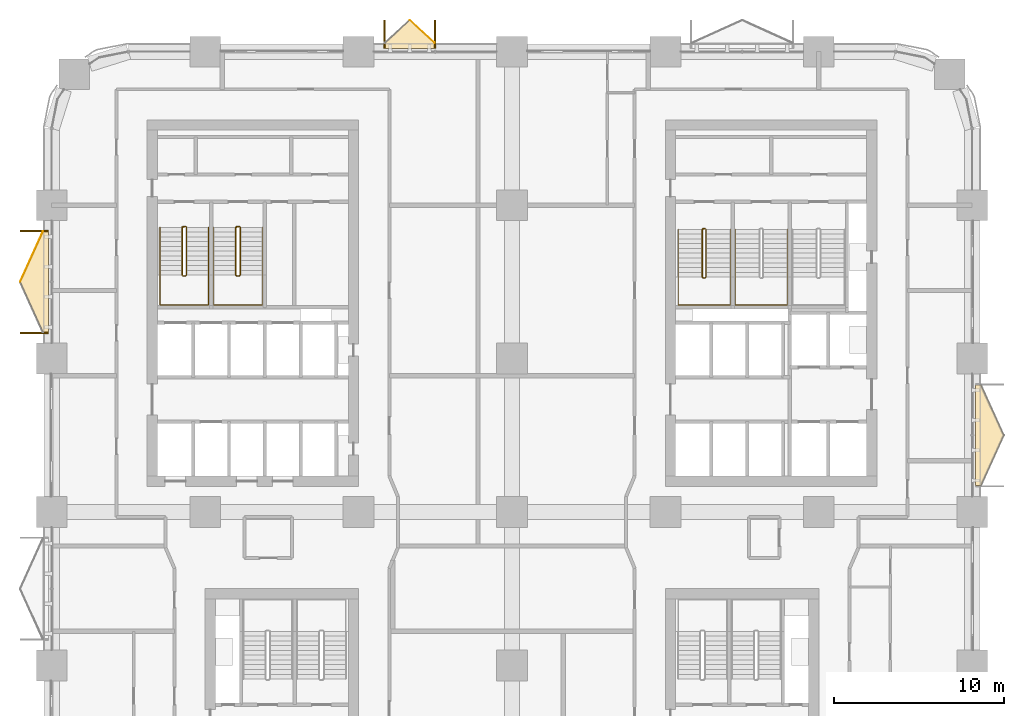
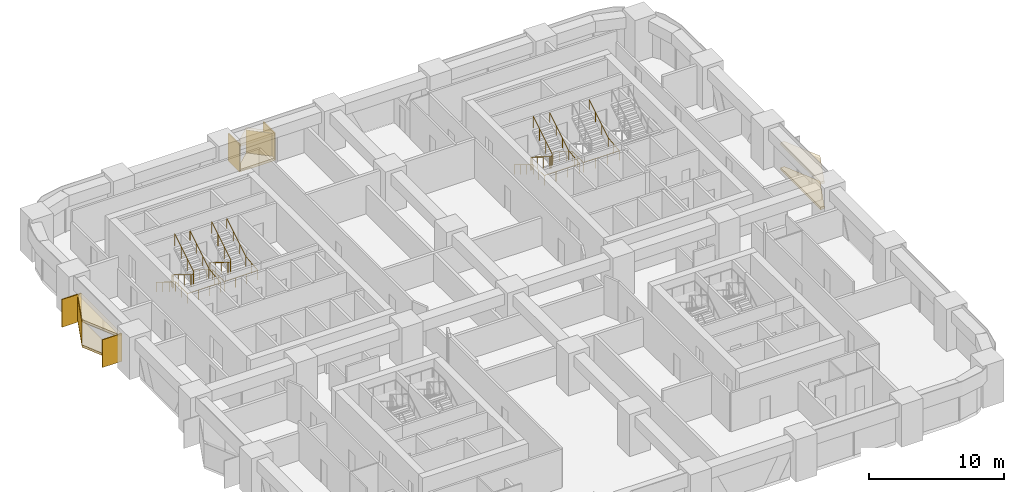
# One storey, part 20 of 21: 12 coverings, 7 railings.
"""IFC4 building model written with IfcOpenShell, lengths in metres."""

from ifc_helpers import new_model, si_unit, direction, frame, origin, origin_2d, place, context, subcontext, project, spatial, polyline, rectangle, circle, outline, extrude, material, layer, layer_set, type_object, element, save


model = new_model("IFC4")

# Units and contexts
model_context = context("Model", 3, precision=1e-05, world=origin(), true_north=direction((0.0, 1.0)))
body_context = subcontext(model_context, "Body", "Model", "MODEL_VIEW")
ifc_project = project(units=[si_unit("LENGTHUNIT", "METRE"), si_unit("AREAUNIT", "SQUARE_METRE"), si_unit("VOLUMEUNIT", "CUBIC_METRE"), si_unit("PLANEANGLEUNIT", "RADIAN"), si_unit("MASSUNIT", "GRAM", prefix="KILO")], contexts=[model_context])

# Site, building, storey
site_placement = place(None, origin())
site = spatial("IfcSite", under=ifc_project, at=site_placement, CompositionType="ELEMENT")
building_placement = place(site_placement, origin())
building = spatial("IfcBuilding", under=site, at=building_placement, Name="Tessera Arch", CompositionType="ELEMENT")
storey_placement = place(building_placement, frame((0.0, 0.0, 42.39990234375)))
storey = spatial("IfcBuildingStorey", under=building, at=storey_placement, Name="L08", CompositionType="ELEMENT", Elevation=42.39990234375)

# Railings
ifc_material_1 = material(Name="Painted steel balustrade", Category="steel")
railing_type_1 = type_object("IfcRailingType", Name="Stair guard 1100", PredefinedType="GUARDRAIL", material=ifc_material_1)
railing_1_placement = place(storey_placement, frame((38.219970703125, 43.6298828125, 0.0)))
element("IfcRailing", 1, at=railing_1_placement, inside=storey, type_object=railing_type_1, Name="L08 S1a stair guard 1", PredefinedType="GUARDRAIL", context=body_context, shape_type="SweptSolid", body=[
    extrude(circle(Radius=0.02392578125, at=origin_2d()), frame((-0.00390625, 0.0, 1.076171875), z_axis=(1.0, 0.0, 0.0), x_axis=(0.0, 1.0, 0.0)), (0.0, 0.0, 1.0), 0.1181640625),
    extrude(circle(Radius=0.02392578125, at=origin_2d()), frame((0.11279296875, 0.000732421875, 1.0732421875), z_axis=(-0.664965661675, -0.206788102106, 0.717676354369), x_axis=(0.296948579431, -0.954893471113, 0.0)), (0.0, 0.0, 1.0), 0.248779296875),
    extrude(circle(Radius=0.02392578125, at=origin_2d()), frame((-0.050048828125, -0.04638671875, 1.246826171875), z_axis=(0.0, -0.851089632645, 0.525020415988), x_axis=(1.0, 0.0, 0.0)), (0.0, 0.0, 1.0), 3.2978515625),
    extrude(circle(Radius=0.02392578125, at=origin_2d()), frame((-0.052978515625, -2.846923828125, 2.97607421875), z_axis=(0.707106781187, -0.707106781187, 0.0), x_axis=(0.707106781187, 0.707106781187, 0.0)), (0.0, 0.0, 1.0), 0.078857421875),
    extrude(circle(Radius=0.02392578125, at=origin_2d()), frame((-0.00390625, -2.89990234375, 2.97607421875), z_axis=(1.0, 0.0, 0.0), x_axis=(0.0, 1.0, 0.0)), (0.0, 0.0, 1.0), 0.1181640625),
    extrude(circle(Radius=0.02392578125, at=origin_2d()), frame((0.109130859375, -2.90087890625, 2.972412109375), z_axis=(0.267062837333, 0.268371968888, 0.925556009775), x_axis=(-0.708833529934, 0.705375805398, 0.0)), (0.0, 0.0, 1.0), 0.194580078125),
    extrude(circle(Radius=0.02392578125, at=origin_2d()), frame((0.159912109375, -2.853271484375, 3.146728515625), z_axis=(0.0, 0.851089632645, 0.525020415988), x_axis=(-1.0, 0.0, 0.0)), (0.0, 0.0, 1.0), 3.2978515625),
    extrude(circle(Radius=0.02099609375, at=origin_2d()), origin(), (0.0, 0.0, 1.0), 1.06396484375),
    extrude(circle(Radius=0.02099609375, at=origin_2d()), frame((0.110107421875, 0.0, 0.0)), (0.0, 0.0, 1.0), 1.06396484375),
    extrude(circle(Radius=0.02099609375, at=origin_2d()), frame((-0.050048828125, -0.0498046875, 0.1728515625)), (0.0, 0.0, 1.0), 1.06396484375),
    extrude(circle(Radius=0.02099609375, at=origin_2d()), frame((-0.050048828125, -0.983154296875, 0.74853515625)), (0.0, 0.0, 1.0), 1.06396484375),
    extrude(circle(Radius=0.02099609375, at=origin_2d()), frame((-0.050048828125, -1.91650390625, 1.324462890625)), (0.0, 0.0, 1.0), 1.06396484375),
    extrude(circle(Radius=0.02099609375, at=origin_2d()), frame((-0.050048828125, -2.849853515625, 1.900146484375)), (0.0, 0.0, 1.0), 1.06396484375),
    extrude(circle(Radius=0.02099609375, at=origin_2d()), frame((0.0, -2.89990234375, 1.900146484375)), (0.0, 0.0, 1.0), 1.06396484375),
    extrude(circle(Radius=0.02099609375, at=origin_2d()), frame((0.110107421875, -2.89990234375, 1.900146484375)), (0.0, 0.0, 1.0), 1.06396484375),
    extrude(circle(Radius=0.02099609375, at=origin_2d()), frame((0.159912109375, -2.849853515625, 2.07275390625)), (0.0, 0.0, 1.0), 1.06396484375),
    extrude(circle(Radius=0.02099609375, at=origin_2d()), frame((0.159912109375, -1.91650390625, 2.6484375)), (0.0, 0.0, 1.0), 1.06396484375),
    extrude(circle(Radius=0.02099609375, at=origin_2d()), frame((0.159912109375, -0.983154296875, 3.224365234375)), (0.0, 0.0, 1.0), 1.06396484375),
    extrude(circle(Radius=0.02099609375, at=origin_2d()), frame((0.159912109375, -0.0498046875, 3.800048828125)), (0.0, 0.0, 1.0), 1.06396484375),
])
railing_2_placement = place(storey_placement, frame((7.699951171875, 43.75, 0.0)))
element("IfcRailing", 2, at=railing_2_placement, inside=storey, type_object=railing_type_1, Name="L08 S2a stair guard 1", PredefinedType="GUARDRAIL", context=body_context, shape_type="SweptSolid", body=[
    extrude(circle(Radius=0.02392578125, at=origin_2d()), frame((-0.00390625, 0.0, 1.076171875), z_axis=(1.0, 0.0, 0.0), x_axis=(0.0, 1.0, 0.0)), (0.0, 0.0, 1.0), 0.158203125),
    extrude(circle(Radius=0.02392578125, at=origin_2d()), frame((0.153076171875, 0.000732421875, 1.073486328125), z_axis=(-0.743708266585, -0.185927066646, 0.642128600905), x_axis=(0.242535625036, -0.970142500145, 0.0)), (0.0, 0.0, 1.0), 0.277099609375),
    extrude(circle(Radius=0.02392578125, at=origin_2d()), frame((-0.050048828125, -0.046630859375, 1.246826171875), z_axis=(0.0, -0.851089632645, 0.525020415988), x_axis=(1.0, 0.0, 0.0)), (0.0, 0.0, 1.0), 3.2978515625),
    extrude(circle(Radius=0.02392578125, at=origin_2d()), frame((-0.052978515625, -2.84716796875, 2.97607421875), z_axis=(0.708833529934, -0.705375805398, 0.0), x_axis=(0.705375805398, 0.708833529934, 0.0)), (0.0, 0.0, 1.0), 0.07861328125),
    extrude(circle(Radius=0.02392578125, at=origin_2d()), frame((-0.00390625, -2.89990234375, 2.97607421875), z_axis=(1.0, 0.0, 0.0), x_axis=(0.0, 1.0, 0.0)), (0.0, 0.0, 1.0), 0.158203125),
    extrude(circle(Radius=0.02392578125, at=origin_2d()), frame((0.149169921875, -2.90087890625, 2.972412109375), z_axis=(0.26715648603, 0.26715648603, 0.925880566782), x_axis=(-0.707106781187, 0.707106781187, 0.0)), (0.0, 0.0, 1.0), 0.1943359375),
    extrude(circle(Radius=0.02392578125, at=origin_2d()), frame((0.199951171875, -2.853515625, 3.146728515625), z_axis=(0.0, 0.851089632645, 0.525020415988), x_axis=(-1.0, 0.0, 0.0)), (0.0, 0.0, 1.0), 3.2978515625),
    extrude(circle(Radius=0.02099609375, at=origin_2d()), origin(), (0.0, 0.0, 1.0), 1.06396484375),
    extrude(circle(Radius=0.02099609375, at=origin_2d()), frame((0.150146484375, 0.0, 0.0)), (0.0, 0.0, 1.0), 1.06396484375),
    extrude(circle(Radius=0.02099609375, at=origin_2d()), frame((-0.050048828125, -0.050048828125, 0.1728515625)), (0.0, 0.0, 1.0), 1.06396484375),
    extrude(circle(Radius=0.02099609375, at=origin_2d()), frame((-0.050048828125, -0.9833984375, 0.74853515625)), (0.0, 0.0, 1.0), 1.06396484375),
    extrude(circle(Radius=0.02099609375, at=origin_2d()), frame((-0.050048828125, -1.916748046875, 1.324462890625)), (0.0, 0.0, 1.0), 1.06396484375),
    extrude(circle(Radius=0.02099609375, at=origin_2d()), frame((-0.050048828125, -2.85009765625, 1.900146484375)), (0.0, 0.0, 1.0), 1.06396484375),
    extrude(circle(Radius=0.02099609375, at=origin_2d()), frame((0.0, -2.89990234375, 1.900146484375)), (0.0, 0.0, 1.0), 1.06396484375),
    extrude(circle(Radius=0.02099609375, at=origin_2d()), frame((0.150146484375, -2.89990234375, 1.900146484375)), (0.0, 0.0, 1.0), 1.06396484375),
    extrude(circle(Radius=0.02099609375, at=origin_2d()), frame((0.199951171875, -2.85009765625, 2.07275390625)), (0.0, 0.0, 1.0), 1.06396484375),
    extrude(circle(Radius=0.02099609375, at=origin_2d()), frame((0.199951171875, -1.916748046875, 2.6484375)), (0.0, 0.0, 1.0), 1.06396484375),
    extrude(circle(Radius=0.02099609375, at=origin_2d()), frame((0.199951171875, -0.9833984375, 3.224365234375)), (0.0, 0.0, 1.0), 1.06396484375),
    extrude(circle(Radius=0.02099609375, at=origin_2d()), frame((0.199951171875, -0.050048828125, 3.800048828125)), (0.0, 0.0, 1.0), 1.06396484375),
])
railing_3_placement = place(storey_placement, frame((10.85009765625, 43.75, 0.0)))
element("IfcRailing", 3, at=railing_3_placement, inside=storey, type_object=railing_type_1, Name="L08 S2b stair guard 1", PredefinedType="GUARDRAIL", context=body_context, shape_type="SweptSolid", body=[
    extrude(circle(Radius=0.02392578125, at=origin_2d()), frame((-0.00390625, 0.0, 1.076171875), z_axis=(1.0, 0.0, 0.0), x_axis=(0.0, 1.0, 0.0)), (0.0, 0.0, 1.0), 0.157958984375),
    extrude(circle(Radius=0.02392578125, at=origin_2d()), frame((0.15283203125, 0.000732421875, 1.073486328125), z_axis=(-0.743302536996, -0.186052527575, 0.642561900114), x_axis=(0.242814311512, -0.970072785993, 0.0)), (0.0, 0.0, 1.0), 0.277099609375),
    extrude(circle(Radius=0.02392578125, at=origin_2d()), frame((-0.050048828125, -0.046630859375, 1.246826171875), z_axis=(0.0, -0.851089632645, 0.525020415988), x_axis=(1.0, 0.0, 0.0)), (0.0, 0.0, 1.0), 3.2978515625),
    extrude(circle(Radius=0.02392578125, at=origin_2d()), frame((-0.052978515625, -2.84716796875, 2.97607421875), z_axis=(0.708833529934, -0.705375805398, 0.0), x_axis=(0.705375805398, 0.708833529934, 0.0)), (0.0, 0.0, 1.0), 0.07861328125),
    extrude(circle(Radius=0.02392578125, at=origin_2d()), frame((-0.00390625, -2.89990234375, 2.97607421875), z_axis=(1.0, 0.0, 0.0), x_axis=(0.0, 1.0, 0.0)), (0.0, 0.0, 1.0), 0.157958984375),
    extrude(circle(Radius=0.02392578125, at=origin_2d()), frame((0.14892578125, -2.90087890625, 2.972412109375), z_axis=(0.268371968888, 0.267062837333, 0.925556009775), x_axis=(-0.705375805398, 0.708833529934, 0.0)), (0.0, 0.0, 1.0), 0.194580078125),
    extrude(circle(Radius=0.02392578125, at=origin_2d()), frame((0.199951171875, -2.853515625, 3.146728515625), z_axis=(0.0, 0.851089632645, 0.525020415988), x_axis=(-1.0, 0.0, 0.0)), (0.0, 0.0, 1.0), 3.2978515625),
    extrude(circle(Radius=0.02099609375, at=origin_2d()), origin(), (0.0, 0.0, 1.0), 1.06396484375),
    extrude(circle(Radius=0.02099609375, at=origin_2d()), frame((0.14990234375, 0.0, 0.0)), (0.0, 0.0, 1.0), 1.06396484375),
    extrude(circle(Radius=0.02099609375, at=origin_2d()), frame((-0.050048828125, -0.050048828125, 0.1728515625)), (0.0, 0.0, 1.0), 1.06396484375),
    extrude(circle(Radius=0.02099609375, at=origin_2d()), frame((-0.050048828125, -0.9833984375, 0.74853515625)), (0.0, 0.0, 1.0), 1.06396484375),
    extrude(circle(Radius=0.02099609375, at=origin_2d()), frame((-0.050048828125, -1.916748046875, 1.324462890625)), (0.0, 0.0, 1.0), 1.06396484375),
    extrude(circle(Radius=0.02099609375, at=origin_2d()), frame((-0.050048828125, -2.85009765625, 1.900146484375)), (0.0, 0.0, 1.0), 1.06396484375),
    extrude(circle(Radius=0.02099609375, at=origin_2d()), frame((0.0, -2.89990234375, 1.900146484375)), (0.0, 0.0, 1.0), 1.06396484375),
    extrude(circle(Radius=0.02099609375, at=origin_2d()), frame((0.14990234375, -2.89990234375, 1.900146484375)), (0.0, 0.0, 1.0), 1.06396484375),
    extrude(circle(Radius=0.02099609375, at=origin_2d()), frame((0.199951171875, -2.85009765625, 2.07275390625)), (0.0, 0.0, 1.0), 1.06396484375),
    extrude(circle(Radius=0.02099609375, at=origin_2d()), frame((0.199951171875, -1.916748046875, 2.6484375)), (0.0, 0.0, 1.0), 1.06396484375),
    extrude(circle(Radius=0.02099609375, at=origin_2d()), frame((0.199951171875, -0.9833984375, 3.224365234375)), (0.0, 0.0, 1.0), 1.06396484375),
    extrude(circle(Radius=0.02099609375, at=origin_2d()), frame((0.199951171875, -0.050048828125, 3.800048828125)), (0.0, 0.0, 1.0), 1.06396484375),
])
ifc_material_2 = material(Name="Painted steel handrail", Category="steel")
railing_type_2 = type_object("IfcRailingType", Name="Stair handrail 900", PredefinedType="HANDRAIL", material=ifc_material_2)
railing_4_placement = place(storey_placement, frame((36.75, 43.580078125, 0.1728515625)))
element("IfcRailing", 4, at=railing_4_placement, inside=storey, type_object=railing_type_2, Name="L08 S1a stair handrail", PredefinedType="HANDRAIL", context=body_context, shape_type="SweptSolid", body=[
    extrude(circle(Radius=0.02392578125, at=origin_2d()), frame((0.0, 0.00341796875, 0.873779296875), z_axis=(0.0, -0.851089632645, 0.525020415988), x_axis=(1.0, 0.0, 0.0)), (0.0, 0.0, 1.0), 3.2978515625),
    extrude(circle(Radius=0.02392578125, at=origin_2d()), frame((0.0, -2.796142578125, 2.60302734375), z_axis=(0.0, -1.0, 0.0), x_axis=(1.0, 0.0, 0.0)), (0.0, 0.0, 1.0), 1.63818359375),
    extrude(circle(Radius=0.02392578125, at=origin_2d()), frame((-0.00390625, -4.43017578125, 2.60302734375), z_axis=(1.0, 0.0, 0.0), x_axis=(0.0, 1.0, 0.0)), (0.0, 0.0, 1.0), 3.05810546875),
    extrude(circle(Radius=0.02392578125, at=origin_2d()), frame((3.050048828125, -4.43408203125, 2.602783203125), z_axis=(0.0, 0.994440793715, 0.105297235459), x_axis=(-1.0, 0.0, 0.0)), (0.0, 0.0, 1.0), 1.647216796875),
    extrude(circle(Radius=0.02392578125, at=origin_2d()), frame((3.050048828125, -2.803466796875, 2.773681640625), z_axis=(0.0, 0.851089632645, 0.525020415988), x_axis=(-1.0, 0.0, 0.0)), (0.0, 0.0, 1.0), 3.2978515625),
    extrude(circle(Radius=0.02099609375, at=origin_2d()), origin(), (0.0, 0.0, 1.0), 0.86376953125),
    extrude(circle(Radius=0.02099609375, at=origin_2d()), frame((0.0, -0.933349609375, 0.57568359375)), (0.0, 0.0, 1.0), 0.86376953125),
    extrude(circle(Radius=0.02099609375, at=origin_2d()), frame((0.0, -1.86669921875, 1.151611328125)), (0.0, 0.0, 1.0), 0.86376953125),
    extrude(circle(Radius=0.02099609375, at=origin_2d()), frame((0.0, -2.800048828125, 1.727294921875)), (0.0, 0.0, 1.0), 0.86376953125),
    extrude(circle(Radius=0.02099609375, at=origin_2d()), frame((0.0, -3.615234375, 1.727294921875)), (0.0, 0.0, 1.0), 0.86376953125),
    extrude(circle(Radius=0.02099609375, at=origin_2d()), frame((0.0, -4.43017578125, 1.727294921875)), (0.0, 0.0, 1.0), 0.86376953125),
    extrude(circle(Radius=0.02099609375, at=origin_2d()), frame((1.0166015625, -4.43017578125, 1.727294921875)), (0.0, 0.0, 1.0), 0.86376953125),
    extrude(circle(Radius=0.02099609375, at=origin_2d()), frame((2.033447265625, -4.43017578125, 1.727294921875)), (0.0, 0.0, 1.0), 0.86376953125),
    extrude(circle(Radius=0.02099609375, at=origin_2d()), frame((3.050048828125, -4.43017578125, 1.727294921875)), (0.0, 0.0, 1.0), 0.86376953125),
    extrude(circle(Radius=0.02099609375, at=origin_2d()), frame((3.050048828125, -3.615234375, 1.8134765625)), (0.0, 0.0, 1.0), 0.86376953125),
    extrude(circle(Radius=0.02099609375, at=origin_2d()), frame((3.050048828125, -2.800048828125, 1.89990234375)), (0.0, 0.0, 1.0), 0.86376953125),
    extrude(circle(Radius=0.02099609375, at=origin_2d()), frame((3.050048828125, -1.86669921875, 2.4755859375)), (0.0, 0.0, 1.0), 0.86376953125),
    extrude(circle(Radius=0.02099609375, at=origin_2d()), frame((3.050048828125, -0.933349609375, 3.051513671875)), (0.0, 0.0, 1.0), 0.86376953125),
    extrude(circle(Radius=0.02099609375, at=origin_2d()), frame((3.050048828125, 0.0, 3.627197265625)), (0.0, 0.0, 1.0), 0.86376953125),
])
railing_5_placement = place(storey_placement, frame((40.10009765625, 43.580078125, 0.1728515625)))
element("IfcRailing", 5, at=railing_5_placement, inside=storey, type_object=railing_type_2, Name="L08 S1b stair handrail", PredefinedType="HANDRAIL", context=body_context, shape_type="SweptSolid", body=[
    extrude(circle(Radius=0.02392578125, at=origin_2d()), frame((0.0, 0.00341796875, 0.873779296875), z_axis=(0.0, -0.851089632645, 0.525020415988), x_axis=(1.0, 0.0, 0.0)), (0.0, 0.0, 1.0), 3.2978515625),
    extrude(circle(Radius=0.02392578125, at=origin_2d()), frame((0.0, -2.796142578125, 2.60302734375), z_axis=(0.0, -1.0, 0.0), x_axis=(1.0, 0.0, 0.0)), (0.0, 0.0, 1.0), 1.63818359375),
    extrude(circle(Radius=0.02392578125, at=origin_2d()), frame((-0.00390625, -4.43017578125, 2.60302734375), z_axis=(1.0, 0.0, 0.0), x_axis=(0.0, 1.0, 0.0)), (0.0, 0.0, 1.0), 3.057861328125),
    extrude(circle(Radius=0.02392578125, at=origin_2d()), frame((3.0498046875, -4.43408203125, 2.602783203125), z_axis=(0.0, 0.994440793715, 0.105297235459), x_axis=(-1.0, 0.0, 0.0)), (0.0, 0.0, 1.0), 1.647216796875),
    extrude(circle(Radius=0.02392578125, at=origin_2d()), frame((3.0498046875, -2.803466796875, 2.773681640625), z_axis=(0.0, 0.851089632645, 0.525020415988), x_axis=(-1.0, 0.0, 0.0)), (0.0, 0.0, 1.0), 3.2978515625),
    extrude(circle(Radius=0.02099609375, at=origin_2d()), origin(), (0.0, 0.0, 1.0), 0.86376953125),
    extrude(circle(Radius=0.02099609375, at=origin_2d()), frame((0.0, -0.933349609375, 0.57568359375)), (0.0, 0.0, 1.0), 0.86376953125),
    extrude(circle(Radius=0.02099609375, at=origin_2d()), frame((0.0, -1.86669921875, 1.151611328125)), (0.0, 0.0, 1.0), 0.86376953125),
    extrude(circle(Radius=0.02099609375, at=origin_2d()), frame((0.0, -2.800048828125, 1.727294921875)), (0.0, 0.0, 1.0), 0.86376953125),
    extrude(circle(Radius=0.02099609375, at=origin_2d()), frame((0.0, -3.615234375, 1.727294921875)), (0.0, 0.0, 1.0), 0.86376953125),
    extrude(circle(Radius=0.02099609375, at=origin_2d()), frame((0.0, -4.43017578125, 1.727294921875)), (0.0, 0.0, 1.0), 0.86376953125),
    extrude(circle(Radius=0.02099609375, at=origin_2d()), frame((1.0166015625, -4.43017578125, 1.727294921875)), (0.0, 0.0, 1.0), 0.86376953125),
    extrude(circle(Radius=0.02099609375, at=origin_2d()), frame((2.033203125, -4.43017578125, 1.727294921875)), (0.0, 0.0, 1.0), 0.86376953125),
    extrude(circle(Radius=0.02099609375, at=origin_2d()), frame((3.0498046875, -4.43017578125, 1.727294921875)), (0.0, 0.0, 1.0), 0.86376953125),
    extrude(circle(Radius=0.02099609375, at=origin_2d()), frame((3.0498046875, -3.615234375, 1.8134765625)), (0.0, 0.0, 1.0), 0.86376953125),
    extrude(circle(Radius=0.02099609375, at=origin_2d()), frame((3.0498046875, -2.800048828125, 1.89990234375)), (0.0, 0.0, 1.0), 0.86376953125),
    extrude(circle(Radius=0.02099609375, at=origin_2d()), frame((3.0498046875, -1.86669921875, 2.4755859375)), (0.0, 0.0, 1.0), 0.86376953125),
    extrude(circle(Radius=0.02099609375, at=origin_2d()), frame((3.0498046875, -0.933349609375, 3.051513671875)), (0.0, 0.0, 1.0), 0.86376953125),
    extrude(circle(Radius=0.02099609375, at=origin_2d()), frame((3.0498046875, 0.0, 3.627197265625)), (0.0, 0.0, 1.0), 0.86376953125),
])
railing_6_placement = place(storey_placement, frame((6.35009765625, 43.699951171875, 0.1728515625)))
element("IfcRailing", 6, at=railing_6_placement, inside=storey, type_object=railing_type_2, Name="L08 S2a stair handrail", PredefinedType="HANDRAIL", context=body_context, shape_type="SweptSolid", body=[
    extrude(circle(Radius=0.02392578125, at=origin_2d()), frame((0.0, 0.00341796875, 0.873779296875), z_axis=(0.0, -0.851089632645, 0.525020415988), x_axis=(1.0, 0.0, 0.0)), (0.0, 0.0, 1.0), 3.2978515625),
    extrude(circle(Radius=0.02392578125, at=origin_2d()), frame((0.0, -2.796142578125, 2.60302734375), z_axis=(0.0, -1.0, 0.0), x_axis=(1.0, 0.0, 0.0)), (0.0, 0.0, 1.0), 1.758056640625),
    extrude(circle(Radius=0.02392578125, at=origin_2d()), frame((-0.00390625, -4.550048828125, 2.60302734375), z_axis=(1.0, 0.0, 0.0), x_axis=(0.0, 1.0, 0.0)), (0.0, 0.0, 1.0), 2.85791015625),
    extrude(circle(Radius=0.02392578125, at=origin_2d()), frame((2.849853515625, -4.553955078125, 2.602783203125), z_axis=(0.0, 0.995170989745, 0.098156513637), x_axis=(-1.0, 0.0, 0.0)), (0.0, 0.0, 1.0), 1.7666015625),
    extrude(circle(Radius=0.02392578125, at=origin_2d()), frame((2.849853515625, -2.803466796875, 2.773681640625), z_axis=(0.0, 0.851089632645, 0.525020415988), x_axis=(-1.0, 0.0, 0.0)), (0.0, 0.0, 1.0), 3.2978515625),
    extrude(circle(Radius=0.02099609375, at=origin_2d()), origin(), (0.0, 0.0, 1.0), 0.86376953125),
    extrude(circle(Radius=0.02099609375, at=origin_2d()), frame((0.0, -0.933349609375, 0.57568359375)), (0.0, 0.0, 1.0), 0.86376953125),
    extrude(circle(Radius=0.02099609375, at=origin_2d()), frame((0.0, -1.86669921875, 1.151611328125)), (0.0, 0.0, 1.0), 0.86376953125),
    extrude(circle(Radius=0.02099609375, at=origin_2d()), frame((0.0, -2.800048828125, 1.727294921875)), (0.0, 0.0, 1.0), 0.86376953125),
    extrude(circle(Radius=0.02099609375, at=origin_2d()), frame((0.0, -3.675048828125, 1.727294921875)), (0.0, 0.0, 1.0), 0.86376953125),
    extrude(circle(Radius=0.02099609375, at=origin_2d()), frame((0.0, -4.550048828125, 1.727294921875)), (0.0, 0.0, 1.0), 0.86376953125),
    extrude(circle(Radius=0.02099609375, at=origin_2d()), frame((0.949951171875, -4.550048828125, 1.727294921875)), (0.0, 0.0, 1.0), 0.86376953125),
    extrude(circle(Radius=0.02099609375, at=origin_2d()), frame((1.89990234375, -4.550048828125, 1.727294921875)), (0.0, 0.0, 1.0), 0.86376953125),
    extrude(circle(Radius=0.02099609375, at=origin_2d()), frame((2.849853515625, -4.550048828125, 1.727294921875)), (0.0, 0.0, 1.0), 0.86376953125),
    extrude(circle(Radius=0.02099609375, at=origin_2d()), frame((2.849853515625, -3.675048828125, 1.8134765625)), (0.0, 0.0, 1.0), 0.86376953125),
    extrude(circle(Radius=0.02099609375, at=origin_2d()), frame((2.849853515625, -2.800048828125, 1.89990234375)), (0.0, 0.0, 1.0), 0.86376953125),
    extrude(circle(Radius=0.02099609375, at=origin_2d()), frame((2.849853515625, -1.86669921875, 2.4755859375)), (0.0, 0.0, 1.0), 0.86376953125),
    extrude(circle(Radius=0.02099609375, at=origin_2d()), frame((2.849853515625, -0.933349609375, 3.051513671875)), (0.0, 0.0, 1.0), 0.86376953125),
    extrude(circle(Radius=0.02099609375, at=origin_2d()), frame((2.849853515625, 0.0, 3.627197265625)), (0.0, 0.0, 1.0), 0.86376953125),
])
railing_7_placement = place(storey_placement, frame((9.5, 43.699951171875, 0.1728515625)))
element("IfcRailing", 7, at=railing_7_placement, inside=storey, type_object=railing_type_2, Name="L08 S2b stair handrail", PredefinedType="HANDRAIL", context=body_context, shape_type="SweptSolid", body=[
    extrude(circle(Radius=0.02392578125, at=origin_2d()), frame((0.0, 0.00341796875, 0.873779296875), z_axis=(0.0, -0.851089632645, 0.525020415988), x_axis=(1.0, 0.0, 0.0)), (0.0, 0.0, 1.0), 3.2978515625),
    extrude(circle(Radius=0.02392578125, at=origin_2d()), frame((0.0, -2.796142578125, 2.60302734375), z_axis=(0.0, -1.0, 0.0), x_axis=(1.0, 0.0, 0.0)), (0.0, 0.0, 1.0), 1.758056640625),
    extrude(circle(Radius=0.02392578125, at=origin_2d()), frame((-0.00390625, -4.550048828125, 2.60302734375), z_axis=(1.0, 0.0, 0.0), x_axis=(0.0, 1.0, 0.0)), (0.0, 0.0, 1.0), 2.858154296875),
    extrude(circle(Radius=0.02392578125, at=origin_2d()), frame((2.85009765625, -4.553955078125, 2.602783203125), z_axis=(0.0, 0.995170989745, 0.098156513637), x_axis=(-1.0, 0.0, 0.0)), (0.0, 0.0, 1.0), 1.7666015625),
    extrude(circle(Radius=0.02392578125, at=origin_2d()), frame((2.85009765625, -2.803466796875, 2.773681640625), z_axis=(0.0, 0.851089632645, 0.525020415988), x_axis=(-1.0, 0.0, 0.0)), (0.0, 0.0, 1.0), 3.2978515625),
    extrude(circle(Radius=0.02099609375, at=origin_2d()), origin(), (0.0, 0.0, 1.0), 0.86376953125),
    extrude(circle(Radius=0.02099609375, at=origin_2d()), frame((0.0, -0.933349609375, 0.57568359375)), (0.0, 0.0, 1.0), 0.86376953125),
    extrude(circle(Radius=0.02099609375, at=origin_2d()), frame((0.0, -1.86669921875, 1.151611328125)), (0.0, 0.0, 1.0), 0.86376953125),
    extrude(circle(Radius=0.02099609375, at=origin_2d()), frame((0.0, -2.800048828125, 1.727294921875)), (0.0, 0.0, 1.0), 0.86376953125),
    extrude(circle(Radius=0.02099609375, at=origin_2d()), frame((0.0, -3.675048828125, 1.727294921875)), (0.0, 0.0, 1.0), 0.86376953125),
    extrude(circle(Radius=0.02099609375, at=origin_2d()), frame((0.0, -4.550048828125, 1.727294921875)), (0.0, 0.0, 1.0), 0.86376953125),
    extrude(circle(Radius=0.02099609375, at=origin_2d()), frame((0.949951171875, -4.550048828125, 1.727294921875)), (0.0, 0.0, 1.0), 0.86376953125),
    extrude(circle(Radius=0.02099609375, at=origin_2d()), frame((1.900146484375, -4.550048828125, 1.727294921875)), (0.0, 0.0, 1.0), 0.86376953125),
    extrude(circle(Radius=0.02099609375, at=origin_2d()), frame((2.85009765625, -4.550048828125, 1.727294921875)), (0.0, 0.0, 1.0), 0.86376953125),
    extrude(circle(Radius=0.02099609375, at=origin_2d()), frame((2.85009765625, -3.675048828125, 1.8134765625)), (0.0, 0.0, 1.0), 0.86376953125),
    extrude(circle(Radius=0.02099609375, at=origin_2d()), frame((2.85009765625, -2.800048828125, 1.89990234375)), (0.0, 0.0, 1.0), 0.86376953125),
    extrude(circle(Radius=0.02099609375, at=origin_2d()), frame((2.85009765625, -1.86669921875, 2.4755859375)), (0.0, 0.0, 1.0), 0.86376953125),
    extrude(circle(Radius=0.02099609375, at=origin_2d()), frame((2.85009765625, -0.933349609375, 3.051513671875)), (0.0, 0.0, 1.0), 0.86376953125),
    extrude(circle(Radius=0.02099609375, at=origin_2d()), frame((2.85009765625, 0.0, 3.627197265625)), (0.0, 0.0, 1.0), 0.86376953125),
])

# Coverings
ifc_material_3 = material(Name="Anodised aluminium pale metal", Category="aluminium")
ifc_layer_1 = layer(ifc_material_3, 0.080078125)
ifc_layer_set_1 = layer_set([ifc_layer_1], Name="Window box cheek")
covering_type_1 = type_object("IfcCoveringType", Name="Window box cheek", PredefinedType="CLADDING", material=ifc_layer_set_1)
covering_1_placement = place(storey_placement, origin())
element("IfcCovering", 8, at=covering_1_placement, inside=storey, type_object=covering_type_1, Name="Window box N54.0/3.1 1x1 cheek", PredefinedType="CLADDING", context=body_context, shape_type="SweptSolid", body=[
    extrude(outline(polyline([(22.530029296875, 55.85009765625), (22.449951171875, 55.85009765625), (22.449951171875, 54.199951171875), (22.530029296875, 54.199951171875), (22.530029296875, 55.85009765625)])), origin(), (0.0, 0.0, 1.0), 2.5),
])
covering_2_placement = place(storey_placement, origin())
element("IfcCovering", 9, at=covering_2_placement, inside=storey, type_object=covering_type_1, Name="Window box N54.0/3.1 1x1 cheek", PredefinedType="CLADDING", context=body_context, shape_type="SweptSolid", body=[
    extrude(outline(polyline([(19.550048828125, 55.85009765625), (19.469970703125, 55.85009765625), (19.469970703125, 54.199951171875), (19.550048828125, 54.199951171875), (19.550048828125, 55.85009765625)])), origin(), (0.0, 0.0, 1.0), 2.5),
])
covering_3_placement = place(storey_placement, origin())
element("IfcCovering", 10, at=covering_3_placement, inside=storey, type_object=covering_type_1, Name="Window box W0.0/1.0 2x1 cheek", PredefinedType="CLADDING", context=body_context, shape_type="SweptSolid", body=[
    extrude(outline(polyline([(-1.85009765625, 43.530029296875), (-1.85009765625, 43.449951171875), (-0.199951171875, 43.449951171875), (-0.199951171875, 43.530029296875), (-1.85009765625, 43.530029296875)])), origin(), (0.0, 0.0, 1.0), 2.5),
])
covering_4_placement = place(storey_placement, origin())
element("IfcCovering", 11, at=covering_4_placement, inside=storey, type_object=covering_type_1, Name="Window box W0.0/1.0 2x1 cheek", PredefinedType="CLADDING", context=body_context, shape_type="SweptSolid", body=[
    extrude(outline(polyline([(-1.85009765625, 37.550048828125), (-1.85009765625, 37.469970703125), (-0.199951171875, 37.469970703125), (-0.199951171875, 37.550048828125), (-1.85009765625, 37.550048828125)])), origin(), (0.0, 0.0, 1.0), 2.5),
])
ifc_material_4 = material(Name="Anodised aluminium cobalt blue", Category="aluminium")
ifc_layer_2 = layer(ifc_material_4, 0.219970703125)
ifc_layer_set_2 = layer_set([ifc_layer_2], Name="Window box frame plate cobalt")
covering_type_2 = type_object("IfcCoveringType", Name="Window box frame plate cobalt", PredefinedType="CLADDING", material=ifc_layer_set_2)
covering_5_placement = place(storey_placement, origin())
element("IfcCovering", 12, at=covering_5_placement, inside=storey, type_object=covering_type_2, Name="Window box N54.0/3.1 1x1 floor", PredefinedType="CLADDING", context=body_context, shape_type="SweptSolid", body=[
    extrude(outline(polyline([(22.449951171875, 54.510009765625), (21.0, 55.85009765625), (19.550048828125, 54.510009765625), (19.550048828125, 54.199951171875), (22.449951171875, 54.199951171875), (22.449951171875, 54.510009765625)])), origin(), (0.0, 0.0, 1.0), 0.22021484375),
])
covering_6_placement = place(storey_placement, frame((0.0, 0.0, 2.280029296875)))
element("IfcCovering", 13, at=covering_6_placement, inside=storey, type_object=covering_type_2, Name="Window box N54.0/3.1 1x1 roof", PredefinedType="CLADDING", context=body_context, shape_type="SweptSolid", body=[
    extrude(outline(polyline([(22.449951171875, 54.510009765625), (21.0, 55.85009765625), (19.550048828125, 54.510009765625), (19.550048828125, 54.199951171875), (22.449951171875, 54.199951171875), (22.449951171875, 54.510009765625)])), origin(), (0.0, 0.0, 1.0), 0.219970703125),
])
ifc_material_5 = material(Name="Anodised aluminium pale metal", Category="aluminium")
ifc_layer_3 = layer(ifc_material_5, 0.219970703125)
ifc_layer_set_3 = layer_set([ifc_layer_3], Name="Window box frame plate pale metal")
covering_type_3 = type_object("IfcCoveringType", Name="Window box frame plate pale metal", PredefinedType="CLADDING", material=ifc_layer_set_3)
covering_7_placement = place(storey_placement, origin())
element("IfcCovering", 14, at=covering_7_placement, inside=storey, type_object=covering_type_3, Name="Window box W0.0/1.0 2x1 floor", PredefinedType="CLADDING", context=body_context, shape_type="SweptSolid", body=[
    extrude(outline(polyline([(-0.510009765625, 43.449951171875), (-1.85009765625, 40.5), (-0.510009765625, 37.550048828125), (-0.199951171875, 37.550048828125), (-0.199951171875, 43.449951171875), (-0.510009765625, 43.449951171875)])), origin(), (0.0, 0.0, 1.0), 0.22021484375),
])
covering_8_placement = place(storey_placement, frame((0.0, 0.0, 2.280029296875)))
element("IfcCovering", 15, at=covering_8_placement, inside=storey, type_object=covering_type_3, Name="Window box W0.0/1.0 2x1 roof", PredefinedType="CLADDING", context=body_context, shape_type="SweptSolid", body=[
    extrude(outline(polyline([(-0.510009765625, 43.449951171875), (-1.85009765625, 40.5), (-0.510009765625, 37.550048828125), (-0.199951171875, 37.550048828125), (-0.199951171875, 43.449951171875), (-0.510009765625, 43.449951171875)])), origin(), (0.0, 0.0, 1.0), 0.219970703125),
])
covering_9_placement = place(storey_placement, origin())
element("IfcCovering", 16, at=covering_9_placement, inside=storey, type_object=covering_type_3, Name="Window box E54.0/3.0 2x1 floor", PredefinedType="CLADDING", context=body_context, shape_type="SweptSolid", body=[
    extrude(outline(polyline([(54.510009765625, 28.550048828125), (55.85009765625, 31.5), (54.510009765625, 34.449951171875), (54.199951171875, 34.449951171875), (54.199951171875, 28.550048828125), (54.510009765625, 28.550048828125)])), origin(), (0.0, 0.0, 1.0), 0.22021484375),
])
covering_10_placement = place(storey_placement, frame((0.0, 0.0, 2.280029296875)))
element("IfcCovering", 17, at=covering_10_placement, inside=storey, type_object=covering_type_3, Name="Window box E54.0/3.0 2x1 roof", PredefinedType="CLADDING", context=body_context, shape_type="SweptSolid", body=[
    extrude(outline(polyline([(54.510009765625, 28.550048828125), (55.85009765625, 31.5), (54.510009765625, 34.449951171875), (54.199951171875, 34.449951171875), (54.199951171875, 28.550048828125), (54.510009765625, 28.550048828125)])), origin(), (0.0, 0.0, 1.0), 0.219970703125),
])
ifc_material_6 = material(Name="Anodised aluminium pale metal", Category="aluminium")
ifc_layer_4 = layer(ifc_material_6, 0.028076171875)
ifc_layer_set_4 = layer_set([ifc_layer_4], Name="Window box side panel")
covering_type_4 = type_object("IfcCoveringType", Name="Window box side panel", PredefinedType="CLADDING", material=ifc_layer_set_4)
covering_11_placement = place(storey_placement, frame((21.72509765625, 55.179931640625, 0.219970703125), z_axis=(0.0, 0.0, 1.0), x_axis=(-0.734414958885, 0.678700720617, 0.0)))
element("IfcCovering", 18, at=covering_11_placement, inside=storey, type_object=covering_type_4, Name="Window box N54.0/3.1 1x1 side panel", PredefinedType="CLADDING", context=body_context, shape_type="SweptSolid", body=[
    extrude(rectangle(XDim=1.974365234375, YDim=0.028076171875, at=origin_2d()), origin(), (0.0, 0.0, 1.0), 2.06005859375),
])
covering_12_placement = place(storey_placement, frame((-1.179931640625, 41.97509765625, 0.219970703125), z_axis=(0.0, 0.0, 1.0), x_axis=(-0.413570397858, -0.910472144558, 0.0)))
element("IfcCovering", 19, at=covering_12_placement, inside=storey, type_object=covering_type_4, Name="Window box W0.0/1.0 2x1 side panel", PredefinedType="CLADDING", context=body_context, shape_type="SweptSolid", body=[
    extrude(rectangle(XDim=3.239990234375, YDim=0.028076171875, at=origin_2d()), origin(), (0.0, 0.0, 1.0), 2.06005859375),
])

save(model, "model.ifc")
